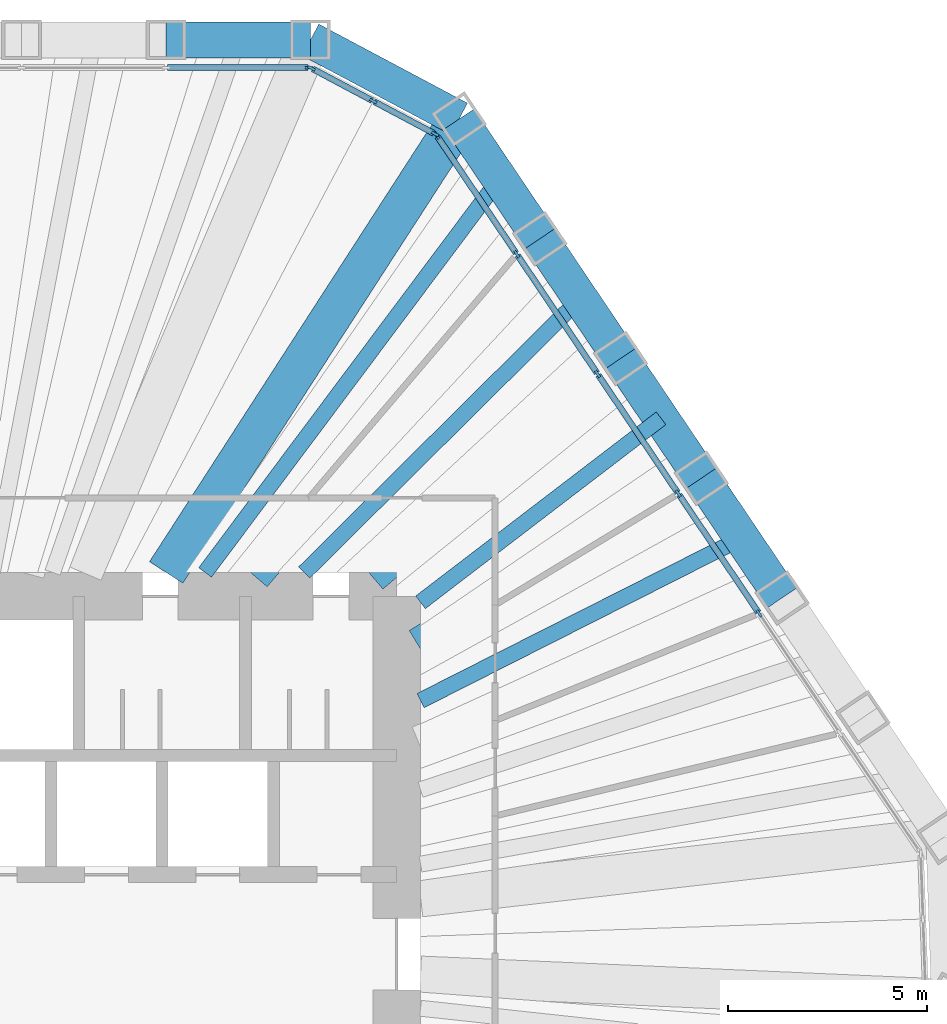
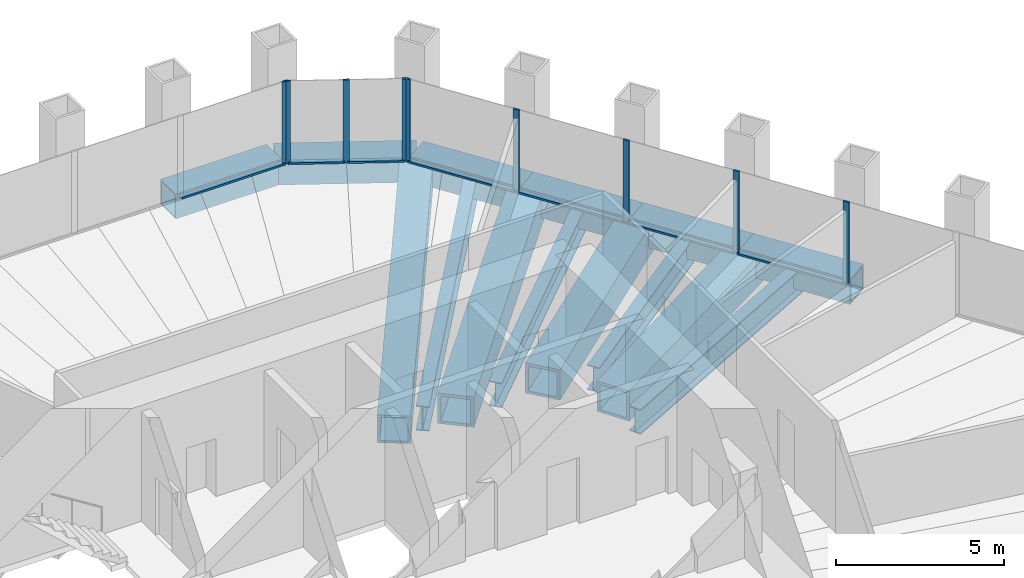
# One storey, part 6 of 12: 16 members, 14 beams, 3 elements without a shape of their own.
"""IFC4 building model written with IfcOpenShell, lengths in metres."""

import ifcopenshell
import ifcopenshell.guid

model = None  # the IFC model being written
_history = None  # IfcOwnerHistory: only IFC2X3 demands one
_inside = {}  # id of a spatial element -> (the spatial element, [elements in it])
_under = {}  # id of a project, library or spatial element -> (it, [spatial elements below it])
_declared = {}  # id of a project -> (the project, [libraries it declares])
_typed = {}  # id of a type object -> (the type object, [elements of that type])
_made_of = {}  # id of a material, layer set ... -> (it, [elements and type objects made of it])


def new_model(schema):
    """Start an empty IFC model of exactly this schema.

    Asked for "IFC4X3", IfcOpenShell would pick the latest addendum, in which some entities
    have other attributes; the version numbers below select the first issue.
    IFC2X3 requires an IfcOwnerHistory on every rooted entity: one is made here for all.
    """
    global model, _history
    if schema == "IFC4X3":
        model = ifcopenshell.file(schema_version=(4, 3, 0, 0))
    else:
        model = ifcopenshell.file(schema=schema)
    _inside.clear()
    _under.clear()
    _declared.clear()
    _typed.clear()
    _made_of.clear()
    _history = None
    if model.schema == "IFC2X3":
        org = make("IfcOrganization", Name="unknown")
        user = make(
            "IfcPersonAndOrganization",
            ThePerson=make("IfcPerson", FamilyName="unknown"),
            TheOrganization=org,
        )
        app = make(
            "IfcApplication",
            ApplicationDeveloper=org,
            Version="unknown",
            ApplicationFullName="unknown",
            ApplicationIdentifier="unknown",
        )
        _history = make(
            "IfcOwnerHistory",
            OwningUser=user,
            OwningApplication=app,
            ChangeAction="ADDED",
            CreationDate=0,
        )
    return model


def make(cls, **values):
    """One entity of the class cls with the attributes given. An attribute that is None is left unset."""
    return model.create_entity(
        cls, **{name: value for name, value in values.items() if value is not None}
    )


def rooted(cls, **values):
    """An entity with a GlobalId (a new one), such as an element, a storey or a relation."""
    return make(cls, GlobalId=ifcopenshell.guid.new(), OwnerHistory=_history, **values)


def si_unit(unit_type, name, prefix=None):
    """IfcSIUnit, for example si_unit("LENGTHUNIT", "METRE", prefix="MILLI")."""
    return make("IfcSIUnit", UnitType=unit_type, Prefix=prefix, Name=name)


def assignment(units):
    """IfcUnitAssignment: the units of a project."""
    return None if units is None else make("IfcUnitAssignment", Units=units)


def point(xyz):
    """IfcCartesianPoint."""
    return None if xyz is None else make("IfcCartesianPoint", Coordinates=xyz)


def direction(xyz):
    """IfcDirection."""
    return None if xyz is None else make("IfcDirection", DirectionRatios=xyz)


def frame(location, z_axis=None, x_axis=None):
    """IfcAxis2Placement3D, a coordinate frame: its origin and axes. An axis left out is left unset."""
    return make(
        "IfcAxis2Placement3D",
        Location=point(location),
        Axis=direction(z_axis),
        RefDirection=direction(x_axis),
    )


def frame_2d(location, x_axis=None):
    """IfcAxis2Placement2D, a coordinate frame in the plane: its origin and x axis."""
    return make(
        "IfcAxis2Placement2D", Location=point(location), RefDirection=direction(x_axis)
    )


def origin():
    """The frame at (0, 0, 0) with its axes left unset."""
    return frame((0.0, 0.0, 0.0))


def origin_2d():
    """The frame at (0, 0) in the plane with its x axis left unset."""
    return frame_2d((0.0, 0.0))


def place(relative_to, where):
    """IfcLocalPlacement: puts the frame where relative to a parent placement (None: the world)."""
    return make(
        "IfcLocalPlacement", PlacementRelTo=relative_to, RelativePlacement=where
    )


def context(
    kind, dimensions, precision=None, world=None, true_north=None, identifier=None
):
    """IfcGeometricRepresentationContext, for example the 3D "Model" context."""
    return make(
        "IfcGeometricRepresentationContext",
        ContextIdentifier=identifier,
        ContextType=kind,
        CoordinateSpaceDimension=dimensions,
        Precision=precision,
        WorldCoordinateSystem=world,
        TrueNorth=true_north,
    )


def subcontext(parent, identifier, kind, view, scale=None):
    """IfcGeometricRepresentationSubContext, for example "Body" below "Model"."""
    return make(
        "IfcGeometricRepresentationSubContext",
        ContextIdentifier=identifier,
        ContextType=kind,
        ParentContext=parent,
        TargetScale=scale,
        TargetView=view,
    )


def project(units=None, contexts=None):
    """IfcProject with its units and contexts."""
    return rooted(
        "IfcProject",
        Name="project",
        RepresentationContexts=contexts,
        UnitsInContext=assignment(units),
    )


def spatial(cls, under=None, at=None, **own):
    """A site, building, storey or space (cls), placed at a placement, below another one or the project."""
    s = rooted(cls, ObjectPlacement=at, **own)
    if under is not None:
        _under.setdefault(under.id(), (under, []))[1].append(s)
    return s


def profile(cls, at=None, kind="AREA", **sizes):
    """A parametric profile (cls). Its sizes go by their IFC names, for example OverallWidth=200.0."""
    return make(cls, ProfileType=kind, Position=at, **sizes)


def rectangle(**sizes):
    """IfcRectangleProfileDef."""
    return profile("IfcRectangleProfileDef", **sizes)


def hollow_rectangle(**sizes):
    """IfcRectangleHollowProfileDef."""
    return profile("IfcRectangleHollowProfileDef", **sizes)


def i_section(**sizes):
    """IfcIShapeProfileDef."""
    return profile("IfcIShapeProfileDef", **sizes)


def extrude(swept, where, along, depth):
    """IfcExtrudedAreaSolid: the profile swept, set in the frame where, extruded along a direction by depth."""
    return make(
        "IfcExtrudedAreaSolid",
        SweptArea=swept,
        Position=where,
        ExtrudedDirection=direction(along),
        Depth=depth,
    )


def shape(context_of_items, identifier, shape_type, items):
    """IfcShapeRepresentation: the items that make up one representation, for example the "Body"."""
    return make(
        "IfcShapeRepresentation",
        ContextOfItems=context_of_items,
        RepresentationIdentifier=identifier,
        RepresentationType=shape_type,
        Items=items,
    )


def material(Name=None, Category=None):
    """IfcMaterial."""
    return make("IfcMaterial", Name=Name, Category=Category)


def material_profile(
    of_material, cross_section, Name=None, Category=None, Priority=None
):
    """IfcMaterialProfile: a cross section and its material."""
    return make(
        "IfcMaterialProfile",
        Name=Name,
        Material=of_material,
        Profile=cross_section,
        Priority=Priority,
        Category=Category,
    )


def profile_set(profiles, Name=None, composite=None):
    """IfcMaterialProfileSet."""
    return make(
        "IfcMaterialProfileSet",
        Name=Name,
        MaterialProfiles=profiles,
        CompositeProfile=composite,
    )


def made_of(thing, what):
    """Note that an element or type object is made of a material, layer set ...; save() writes the relation."""
    if what is not None:
        _made_of.setdefault(what.id(), (what, []))[1].append(thing)
    return thing


def type_object(cls, material=None, **own):
    """A type object (cls), such as IfcWallType, which elements share."""
    return made_of(rooted(cls, **own), material)


def element(
    cls,
    number,
    at=None,
    inside=None,
    cuts=None,
    type_object=None,
    material=None,
    context=None,
    identifier="Body",
    shape_type=None,
    held_by="IfcProductDefinitionShape",
    body=None,
    shapes=None,
    **own,
):
    """One element of the class cls, such as IfcWall. Its Tag is "e" and its number.

    at: its placement. inside: the storey or other place that contains it. cuts: it is an
    opening in that element (IfcRelVoidsElement). A single representation is given by context,
    identifier, shape_type and body (its items); several are given by shapes. held_by: the class
    of the entity that holds the representations. save() writes the other relations.
    """
    e = rooted(cls, Tag="e%d" % number, ObjectPlacement=at, **own)
    if body is not None:
        shapes = [shape(context, identifier, shape_type, body)]
    if shapes is not None:
        e.Representation = make(held_by, Representations=shapes)
    if inside is not None:
        _inside.setdefault(inside.id(), (inside, []))[1].append(e)
    if cuts is not None:
        rooted(
            "IfcRelVoidsElement", RelatingBuildingElement=cuts, RelatedOpeningElement=e
        )
    if type_object is not None:
        _typed.setdefault(type_object.id(), (type_object, []))[1].append(e)
    return made_of(e, material)


def aggregate(whole, parts):
    """IfcRelAggregates: a whole, such as a stair, and the parts it consists of."""
    return rooted("IfcRelAggregates", RelatingObject=whole, RelatedObjects=parts)


def save(model, path):
    """Write the relations noted so far, then the file.

    IfcRelAggregates (storeys below a building ...), IfcRelContainedInSpatialStructure (elements
    in a storey), IfcRelDefinesByType, IfcRelAssociatesMaterial and IfcRelDeclares: one each for
    every whole, place, type object, material and project.
    """
    for whole, parts in _under.values():
        aggregate(whole, parts)
    for where, things in _inside.values():
        rooted(
            "IfcRelContainedInSpatialStructure",
            RelatedElements=things,
            RelatingStructure=where,
        )
    for kind, things in _typed.values():
        rooted("IfcRelDefinesByType", RelatedObjects=things, RelatingType=kind)
    for what, things in _made_of.values():
        rooted("IfcRelAssociatesMaterial", RelatedObjects=things, RelatingMaterial=what)
    for by, libraries in _declared.values():
        rooted("IfcRelDeclares", RelatingContext=by, RelatedDefinitions=libraries)
    model.write(path)


model = new_model("IFC4")

# Units and contexts
model_context = context("Model", 3, precision=1e-05, world=origin(), true_north=direction((0.0, 1.0)))
body_context = subcontext(model_context, "Body", "Model", "MODEL_VIEW")
ifc_project = project(units=[si_unit("LENGTHUNIT", "METRE"), si_unit("AREAUNIT", "SQUARE_METRE"), si_unit("VOLUMEUNIT", "CUBIC_METRE"), si_unit("PLANEANGLEUNIT", "RADIAN"), si_unit("MASSUNIT", "GRAM", prefix="KILO")], contexts=[model_context])

# Site, building, storey
site_placement = place(None, origin())
site = spatial("IfcSite", under=ifc_project, at=site_placement, CompositionType="ELEMENT")
building_placement = place(site_placement, origin())
building = spatial("IfcBuilding", under=site, at=building_placement, Name="Qingtian Harvest Tower", CompositionType="ELEMENT")
storey_placement = place(building_placement, frame((0.0, 0.0, 251.800048828125)))
storey = spatial("IfcBuildingStorey", under=building, at=storey_placement, Name="L55", CompositionType="ELEMENT", Elevation=251.800048828125)

# Beams
ifc_material_1 = material(Name="Steel SN490B", Category="steel")
ifc_material_profile_1 = material_profile(ifc_material_1, i_section(OverallWidth=0.39990234375, OverallDepth=0.89990234375, WebThickness=0.01904296875, FlangeThickness=0.035888671875, at=origin_2d()), Name="H900x400x19x36")
ifc_profile_set_1 = profile_set([ifc_material_profile_1], Name="Steel SN490B")
beam_type_1 = type_object("IfcBeamType", Name="Floor joist J4 H900x400x19x36", PredefinedType="JOIST", material=ifc_profile_set_1)
beam_1_placement = place(storey_placement, frame((14.58740234375, 19.504150390625, -0.6201171875), z_axis=(-0.598935081494, -0.800797582511, 0.0), x_axis=(0.800797582511, -0.598935081494, 0.0)))
element("IfcBeam", 1, at=beam_1_placement, inside=storey, type_object=beam_type_1, Name="Floor joist J4 NE0", PredefinedType="JOIST", context=body_context, shape_type="SweptSolid", body=[
    extrude(i_section(OverallWidth=0.39990234375, OverallDepth=0.89990234375, WebThickness=0.01904296875, FlangeThickness=0.035888671875, at=origin_2d()), origin(), (0.0, 0.0, 1.0), 12.36767578125),
])
beam_2_placement = place(storey_placement, frame((16.619140625, 16.49169921875, -0.6201171875), z_axis=(-0.709833839663, -0.704369164622, 0.0), x_axis=(0.704369164622, -0.709833839663, 0.0)))
element("IfcBeam", 2, at=beam_2_placement, inside=storey, type_object=beam_type_1, Name="Floor joist J4 NE1", PredefinedType="JOIST", context=body_context, shape_type="SweptSolid", body=[
    extrude(i_section(OverallWidth=0.39990234375, OverallDepth=0.89990234375, WebThickness=0.01904296875, FlangeThickness=0.035888671875, at=origin_2d()), origin(), (0.0, 0.0, 1.0), 9.7841796875),
])
beam_3_placement = place(storey_placement, frame((18.651123046875, 13.4794921875, -0.6201171875), z_axis=(-0.794222288871, -0.607627316585, 0.0), x_axis=(0.607627316585, -0.794222288871, 0.0)))
element("IfcBeam", 3, at=beam_3_placement, inside=storey, type_object=beam_type_1, Name="Floor joist J4 NE2", PredefinedType="JOIST", context=body_context, shape_type="SweptSolid", body=[
    extrude(i_section(OverallWidth=0.39990234375, OverallDepth=0.89990234375, WebThickness=0.01904296875, FlangeThickness=0.035888671875, at=origin_2d()), origin(), (0.0, 0.0, 1.0), 7.618896484375),
])
beam_4_placement = place(storey_placement, frame((20.682861328125, 10.467041015625, -0.6201171875), z_axis=(-0.892244443914, -0.451552712652, 0.0), x_axis=(0.451552712652, -0.892244443914, 0.0)))
element("IfcBeam", 4, at=beam_4_placement, inside=storey, type_object=beam_type_1, Name="Floor joist J4 NE3", PredefinedType="JOIST", context=body_context, shape_type="SweptSolid", body=[
    extrude(i_section(OverallWidth=0.39990234375, OverallDepth=0.89990234375, WebThickness=0.01904296875, FlangeThickness=0.035888671875, at=origin_2d()), origin(), (0.0, 0.0, 1.0), 9.058837890625),
])

# Curtain wall, member
ifc_material_2 = material(Name="Bronze-anodised aluminium curtain wall", Category="aluminium")
curtain_wall_type = type_object("IfcCurtainWallType", Name="Curtain wall CW4 office", PredefinedType="USERDEFINED", material=ifc_material_2)
curtain_wall_1_placement = place(storey_placement, origin())
curtain_wall_1 = element("IfcCurtainWall", 5, at=curtain_wall_1_placement, inside=storey, type_object=curtain_wall_type, Name="Curtain wall CW4 L55 N0-5", ObjectType="RECESSED CURTAIN WALL", PredefinedType="USERDEFINED")
ifc_material_3 = material(Name="Bronze-anodised aluminium mullion", Category="aluminium")
ifc_material_profile_2 = material_profile(ifc_material_3, rectangle(XDim=0.06494140625, YDim=0.199951171875, at=origin_2d()), Name="AL 65x200")
ifc_profile_set_2 = profile_set([ifc_material_profile_2], Name="Bronze-anodised aluminium mullion")
member_type_1 = type_object("IfcMemberType", Name="Mullion CWM 65x200", PredefinedType="MULLION", material=ifc_profile_set_2)
member_1_placement = place(storey_placement, frame((9.796875, 22.300048828125, 0.0), z_axis=(0.0, 0.0, 1.0), x_axis=(0.0, 1.0, 0.0)))
member_1 = element("IfcMember", 6, at=member_1_placement, type_object=member_type_1, Name="CW4 mullion 7", PredefinedType="MULLION", context=body_context, shape_type="SweptSolid", body=[
    extrude(rectangle(XDim=0.06494140625, YDim=0.199951171875, at=origin_2d()), origin(), (0.0, 0.0, 1.0), 3.0),
])

# Curtain wall, members
curtain_wall_2_placement = place(storey_placement, origin())
curtain_wall_2 = element("IfcCurtainWall", 7, at=curtain_wall_2_placement, inside=storey, type_object=curtain_wall_type, Name="Curtain wall CW4 L55 NC", ObjectType="RECESSED CURTAIN WALL", PredefinedType="USERDEFINED")
member_2_placement = place(storey_placement, frame((9.85791015625, 22.28466796875, 0.0), z_axis=(0.0, 0.0, 1.0), x_axis=(0.469471562786, 0.882947592859, 0.0)))
member_2 = element("IfcMember", 8, at=member_2_placement, type_object=member_type_1, Name="CW4 mullion 1", PredefinedType="MULLION", context=body_context, shape_type="SweptSolid", body=[
    extrude(rectangle(XDim=0.06494140625, YDim=0.199951171875, at=origin_2d()), origin(), (0.0, 0.0, 1.0), 3.0),
])
member_3_placement = place(storey_placement, frame((11.41015625, 21.45947265625, 0.0), z_axis=(0.0, 0.0, 1.0), x_axis=(0.469471562786, 0.882947592859, 0.0)))
member_3 = element("IfcMember", 9, at=member_3_placement, type_object=member_type_1, Name="CW4 mullion 2", PredefinedType="MULLION", context=body_context, shape_type="SweptSolid", body=[
    extrude(rectangle(XDim=0.06494140625, YDim=0.199951171875, at=origin_2d()), origin(), (0.0, 0.0, 1.0), 3.0),
])
member_4_placement = place(storey_placement, frame((12.96240234375, 20.634033203125, 0.0), z_axis=(0.0, 0.0, 1.0), x_axis=(0.469471562786, 0.882947592859, 0.0)))
member_4 = element("IfcMember", 10, at=member_4_placement, type_object=member_type_1, Name="CW4 mullion 3", PredefinedType="MULLION", context=body_context, shape_type="SweptSolid", body=[
    extrude(rectangle(XDim=0.06494140625, YDim=0.199951171875, at=origin_2d()), origin(), (0.0, 0.0, 1.0), 3.0),
])

curtain_wall_3_placement = place(storey_placement, origin())
curtain_wall_3 = element("IfcCurtainWall", 11, at=curtain_wall_3_placement, inside=storey, type_object=curtain_wall_type, Name="Curtain wall CW4 L55 NE0-5", ObjectType="RECESSED CURTAIN WALL", PredefinedType="USERDEFINED")
member_5_placement = place(storey_placement, frame((13.00927734375, 20.592041015625, 0.0), z_axis=(0.0, 0.0, 1.0), x_axis=(0.829037572555, 0.559192903471, 0.0)))
member_5 = element("IfcMember", 12, at=member_5_placement, type_object=member_type_1, Name="CW4 mullion 1", PredefinedType="MULLION", context=body_context, shape_type="SweptSolid", body=[
    extrude(rectangle(XDim=0.06494140625, YDim=0.199951171875, at=origin_2d()), origin(), (0.0, 0.0, 1.0), 3.0),
])
member_6_placement = place(storey_placement, frame((15.02294921875, 17.6064453125, 0.0), z_axis=(0.0, 0.0, 1.0), x_axis=(0.829037572555, 0.559192903471, 0.0)))
member_6 = element("IfcMember", 13, at=member_6_placement, type_object=member_type_1, Name="CW4 mullion 2", PredefinedType="MULLION", context=body_context, shape_type="SweptSolid", body=[
    extrude(rectangle(XDim=0.06494140625, YDim=0.199951171875, at=origin_2d()), origin(), (0.0, 0.0, 1.0), 3.0),
])
member_7_placement = place(storey_placement, frame((17.0546875, 14.59423828125, 0.0), z_axis=(0.0, 0.0, 1.0), x_axis=(0.829037572555, 0.559192903471, 0.0)))
member_7 = element("IfcMember", 14, at=member_7_placement, type_object=member_type_1, Name="CW4 mullion 3", PredefinedType="MULLION", context=body_context, shape_type="SweptSolid", body=[
    extrude(rectangle(XDim=0.06494140625, YDim=0.199951171875, at=origin_2d()), origin(), (0.0, 0.0, 1.0), 3.0),
])
member_8_placement = place(storey_placement, frame((19.086669921875, 11.581787109375, 0.0), z_axis=(0.0, 0.0, 1.0), x_axis=(0.829037572555, 0.559192903471, 0.0)))
member_8 = element("IfcMember", 15, at=member_8_placement, type_object=member_type_1, Name="CW4 mullion 4", PredefinedType="MULLION", context=body_context, shape_type="SweptSolid", body=[
    extrude(rectangle(XDim=0.06494140625, YDim=0.199951171875, at=origin_2d()), origin(), (0.0, 0.0, 1.0), 3.0),
])
member_9_placement = place(storey_placement, frame((21.118408203125, 8.569580078125, 0.0), z_axis=(0.0, 0.0, 1.0), x_axis=(0.829037572555, 0.559192903471, 0.0)))
member_9 = element("IfcMember", 16, at=member_9_placement, type_object=member_type_1, Name="CW4 mullion 5", PredefinedType="MULLION", context=body_context, shape_type="SweptSolid", body=[
    extrude(rectangle(XDim=0.06494140625, YDim=0.199951171875, at=origin_2d()), origin(), (0.0, 0.0, 1.0), 3.0),
])

# Beams
ifc_material_4 = material(Name="Steel SM570MC", Category="steel")
ifc_material_profile_3 = material_profile(ifc_material_4, hollow_rectangle(XDim=1.0, YDim=1.0, WallThickness=0.080078125, at=origin_2d()), Name="BOX1000x1000x80")
ifc_profile_set_3 = profile_set([ifc_material_profile_3], Name="Steel SM570MC")
beam_type_2 = type_object("IfcBeamType", Name="Transfer corner beam FB11 BOX1000x1000x80", PredefinedType="BEAM", material=ifc_profile_set_3)
beam_5_placement = place(storey_placement, frame((13.5712890625, 21.01025390625, -0.670166015625), z_axis=(-0.542593072822, -0.839995688873, 0.0), x_axis=(0.839995688873, -0.542593072822, 0.0)))
element("IfcBeam", 17, at=beam_5_placement, inside=storey, type_object=beam_type_2, Name="Floor beam FB11 NE0", PredefinedType="BEAM", context=body_context, shape_type="SweptSolid", body=[
    extrude(hollow_rectangle(XDim=1.0, YDim=1.0, WallThickness=0.080078125, at=origin_2d()), origin(), (0.0, 0.0, 1.0), 13.58349609375),
])
ifc_material_5 = material(Name="Steel SM570MC", Category="steel")
ifc_material_profile_4 = material_profile(ifc_material_5, hollow_rectangle(XDim=1.10009765625, YDim=1.10009765625, WallThickness=0.10009765625, at=origin_2d()), Name="BOX1100x1100x100")
ifc_profile_set_4 = profile_set([ifc_material_profile_4], Name="Steel SM570MC")
beam_type_3 = type_object("IfcBeamType", Name="Transfer floor beam FB9 BOX1100x1100x100", PredefinedType="BEAM", material=ifc_profile_set_4)
beam_6_placement = place(storey_placement, frame((15.603271484375, 17.998046875, -0.719970703125), z_axis=(-0.655048444444, -0.755586881458, 0.0), x_axis=(0.755586881458, -0.655048444444, 0.0)))
element("IfcBeam", 18, at=beam_6_placement, inside=storey, type_object=beam_type_3, Name="Floor beam FB9 NE1", PredefinedType="BEAM", context=body_context, shape_type="SweptSolid", body=[
    extrude(hollow_rectangle(XDim=1.10009765625, YDim=1.10009765625, WallThickness=0.10009765625, at=origin_2d()), origin(), (0.0, 0.0, 1.0), 11.114501953125),
])
beam_7_placement = place(storey_placement, frame((17.635009765625, 14.985595703125, -0.719970703125), z_axis=(-0.762028398305, -0.647543604846, 0.0), x_axis=(0.647543604846, -0.762028398305, 0.0)))
element("IfcBeam", 19, at=beam_7_placement, inside=storey, type_object=beam_type_3, Name="Floor beam FB9 NE2", PredefinedType="BEAM", context=body_context, shape_type="SweptSolid", body=[
    extrude(hollow_rectangle(XDim=1.10009765625, YDim=1.10009765625, WallThickness=0.10009765625, at=origin_2d()), origin(), (0.0, 0.0, 1.0), 8.31689453125),
])
beam_8_placement = place(storey_placement, frame((19.6669921875, 11.97314453125, -0.719970703125), z_axis=(-0.854163224424, -0.520004986554, 0.0), x_axis=(0.520004986554, -0.854163224424, 0.0)))
element("IfcBeam", 20, at=beam_8_placement, inside=storey, type_object=beam_type_3, Name="Floor beam FB9 NE3", PredefinedType="BEAM", context=body_context, shape_type="SweptSolid", body=[
    extrude(hollow_rectangle(XDim=1.10009765625, YDim=1.10009765625, WallThickness=0.10009765625, at=origin_2d()), origin(), (0.0, 0.0, 1.0), 8.2734375),
])
ifc_material_6 = material(Name="Steel SM570MC", Category="steel")
ifc_material_profile_5 = material_profile(ifc_material_6, hollow_rectangle(XDim=0.89990234375, YDim=0.89990234375, WallThickness=0.050048828125, at=origin_2d()), Name="BOX900x900x50")
ifc_profile_set_5 = profile_set([ifc_material_profile_5], Name="Steel SM570MC")
beam_type_4 = type_object("IfcBeamType", Name="Transition spandrel SB6 BOX900x900x50", PredefinedType="SPANDREL", material=ifc_profile_set_5)
beam_9_placement = place(storey_placement, frame((6.19580078125, 23.0, -0.449951171875), z_axis=(1.0, 0.0, 0.0), x_axis=(0.0, 1.0, 0.0)))
element("IfcBeam", 21, at=beam_9_placement, inside=storey, type_object=beam_type_4, Name="Spandrel SB6 N5", PredefinedType="SPANDREL", context=body_context, shape_type="SweptSolid", body=[
    extrude(hollow_rectangle(XDim=0.89990234375, YDim=0.89990234375, WallThickness=0.050048828125, at=origin_2d()), origin(), (0.0, 0.0, 1.0), 3.633544921875),
])
beam_10_placement = place(storey_placement, frame((9.829345703125, 23.0, -0.449951171875), z_axis=(0.882935902835, -0.469493547863, 0.0), x_axis=(0.469493547863, 0.882935902835, 0.0)))
element("IfcBeam", 22, at=beam_10_placement, inside=storey, type_object=beam_type_4, Name="Spandrel SB6 NC", PredefinedType="SPANDREL", context=body_context, shape_type="SweptSolid", body=[
    extrude(hollow_rectangle(XDim=0.89990234375, YDim=0.89990234375, WallThickness=0.050048828125, at=origin_2d()), origin(), (0.0, 0.0, 1.0), 4.238037109375),
])
for number, where, z_axis, x_axis, name in (
    (23, (13.5712890625, 21.01025390625, -0.449951171875), (0.559235108412, -0.829009103399, 0.0), (0.829009103399, 0.559235108412, 0.0), "Spandrel SB6 NE0"),
    (24, (15.603271484375, 17.998046875, -0.449951171875), (0.55915777886, -0.829061263321, 0.0), (0.829061263321, 0.55915777886, 0.0), "Spandrel SB6 NE1"),
):
    element("IfcBeam", number, at=place(storey_placement, frame(where, z_axis=z_axis, x_axis=x_axis)), inside=storey, type_object=beam_type_4, Name=name, PredefinedType="SPANDREL", context=body_context, shape_type="SweptSolid", body=[
        extrude(hollow_rectangle(XDim=0.89990234375, YDim=0.89990234375, WallThickness=0.050048828125, at=origin_2d()), origin(), (0.0, 0.0, 1.0), 3.633544921875),
    ])
beam_11_placement = place(storey_placement, frame((17.635009765625, 14.985595703125, -0.449951171875), z_axis=(0.55920395902, -0.829030115385, 0.0), x_axis=(0.829030115385, 0.55920395902, 0.0)))
element("IfcBeam", 25, at=beam_11_placement, inside=storey, type_object=beam_type_4, Name="Spandrel SB6 NE2", PredefinedType="SPANDREL", context=body_context, shape_type="SweptSolid", body=[
    extrude(hollow_rectangle(XDim=0.89990234375, YDim=0.89990234375, WallThickness=0.050048828125, at=origin_2d()), origin(), (0.0, 0.0, 1.0), 3.6337890625),
])
beam_12_placement = place(storey_placement, frame((19.6669921875, 11.97314453125, -0.449951171875), z_axis=(0.559188928021, -0.829040254016, 0.0), x_axis=(0.829040254016, 0.559188928021, 0.0)))
element("IfcBeam", 26, at=beam_12_placement, inside=storey, type_object=beam_type_4, Name="Spandrel SB6 NE3", PredefinedType="SPANDREL", context=body_context, shape_type="SweptSolid", body=[
    extrude(hollow_rectangle(XDim=0.89990234375, YDim=0.89990234375, WallThickness=0.050048828125, at=origin_2d()), origin(), (0.0, 0.0, 1.0), 3.63330078125),
])

# Member
ifc_material_7 = material(Name="Bronze-anodised aluminium transom", Category="aluminium")
ifc_material_profile_6 = material_profile(ifc_material_7, rectangle(XDim=0.14990234375, YDim=0.06494140625, at=origin_2d()), Name="AL 65x150")
ifc_profile_set_6 = profile_set([ifc_material_profile_6], Name="Bronze-anodised aluminium transom")
member_type_2 = type_object("IfcMemberType", Name="Transom CWT 65x150", PredefinedType="USERDEFINED", material=ifc_profile_set_6)
member_10_placement = place(storey_placement, frame((6.228271484375, 22.300048828125, 0.032470703125), z_axis=(1.0, 0.0, 0.0), x_axis=(0.0, 1.0, 0.0)))
member_10 = element("IfcMember", 27, at=member_10_placement, type_object=member_type_2, Name="CW4 transom 6.1", ObjectType="TRANSOM", PredefinedType="USERDEFINED", context=body_context, shape_type="SweptSolid", body=[
    extrude(rectangle(XDim=0.14990234375, YDim=0.06494140625, at=origin_2d()), origin(), (0.0, 0.0, 1.0), 3.5361328125),
])

aggregate(curtain_wall_1, [member_1, member_10])

member_11_placement = place(storey_placement, frame((9.88671875, 22.26953125, 0.032470703125), z_axis=(0.882927080927, -0.469510138086, 0.0), x_axis=(0.469510138086, 0.882927080927, 0.0)))
member_11 = element("IfcMember", 28, at=member_11_placement, type_object=member_type_2, Name="CW4 transom 1.1", ObjectType="TRANSOM", PredefinedType="USERDEFINED", context=body_context, shape_type="SweptSolid", body=[
    extrude(rectangle(XDim=0.14990234375, YDim=0.06494140625, at=origin_2d()), origin(), (0.0, 0.0, 1.0), 1.693115234375),
])

member_12_placement = place(storey_placement, frame((11.43896484375, 21.444091796875, 0.032470703125), z_axis=(0.882955074232, -0.469457492098, 0.0), x_axis=(0.469457492098, 0.882955074232, 0.0)))
member_12 = element("IfcMember", 29, at=member_12_placement, type_object=member_type_2, Name="CW4 transom 2.1", ObjectType="TRANSOM", PredefinedType="USERDEFINED", context=body_context, shape_type="SweptSolid", body=[
    extrude(rectangle(XDim=0.14990234375, YDim=0.06494140625, at=origin_2d()), origin(), (0.0, 0.0, 1.0), 1.69287109375),
])

aggregate(curtain_wall_2, [member_2, member_3, member_4, member_11, member_12])

member_13_placement = place(storey_placement, frame((13.02734375, 20.56494140625, 0.032470703125), z_axis=(0.559201266891, -0.829031931295, 0.0), x_axis=(0.829031931295, 0.559201266891, 0.0)))
member_13 = element("IfcMember", 30, at=member_13_placement, type_object=member_type_2, Name="CW4 transom 1.1", ObjectType="TRANSOM", PredefinedType="USERDEFINED", context=body_context, shape_type="SweptSolid", body=[
    extrude(rectangle(XDim=0.14990234375, YDim=0.06494140625, at=origin_2d()), origin(), (0.0, 0.0, 1.0), 3.535888671875),
])

member_14_placement = place(storey_placement, frame((15.041015625, 17.57958984375, 0.032470703125), z_axis=(0.559207281901, -0.829027874, 0.0), x_axis=(0.829027874, 0.559207281901, 0.0)))
member_14 = element("IfcMember", 31, at=member_14_placement, type_object=member_type_2, Name="CW4 transom 2.1", ObjectType="TRANSOM", PredefinedType="USERDEFINED", context=body_context, shape_type="SweptSolid", body=[
    extrude(rectangle(XDim=0.14990234375, YDim=0.06494140625, at=origin_2d()), origin(), (0.0, 0.0, 1.0), 3.568603515625),
])

member_15_placement = place(storey_placement, frame((17.072998046875, 14.567138671875, 0.032470703125), z_axis=(0.559191977147, -0.829038197368, 0.0), x_axis=(0.829038197368, 0.559191977147, 0.0)))
member_15 = element("IfcMember", 32, at=member_15_placement, type_object=member_type_2, Name="CW4 transom 3.1", ObjectType="TRANSOM", PredefinedType="USERDEFINED", context=body_context, shape_type="SweptSolid", body=[
    extrude(rectangle(XDim=0.14990234375, YDim=0.06494140625, at=origin_2d()), origin(), (0.0, 0.0, 1.0), 3.568359375),
])

member_16_placement = place(storey_placement, frame((19.104736328125, 11.554931640625, 0.032470703125), z_axis=(0.559207281901, -0.829027874, 0.0), x_axis=(0.829027874, 0.559207281901, 0.0)))
member_16 = element("IfcMember", 33, at=member_16_placement, type_object=member_type_2, Name="CW4 transom 4.1", ObjectType="TRANSOM", PredefinedType="USERDEFINED", context=body_context, shape_type="SweptSolid", body=[
    extrude(rectangle(XDim=0.14990234375, YDim=0.06494140625, at=origin_2d()), origin(), (0.0, 0.0, 1.0), 3.568603515625),
])

aggregate(curtain_wall_3, [member_5, member_6, member_7, member_8, member_9, member_13, member_14, member_15, member_16])

save(model, "model.ifc")
